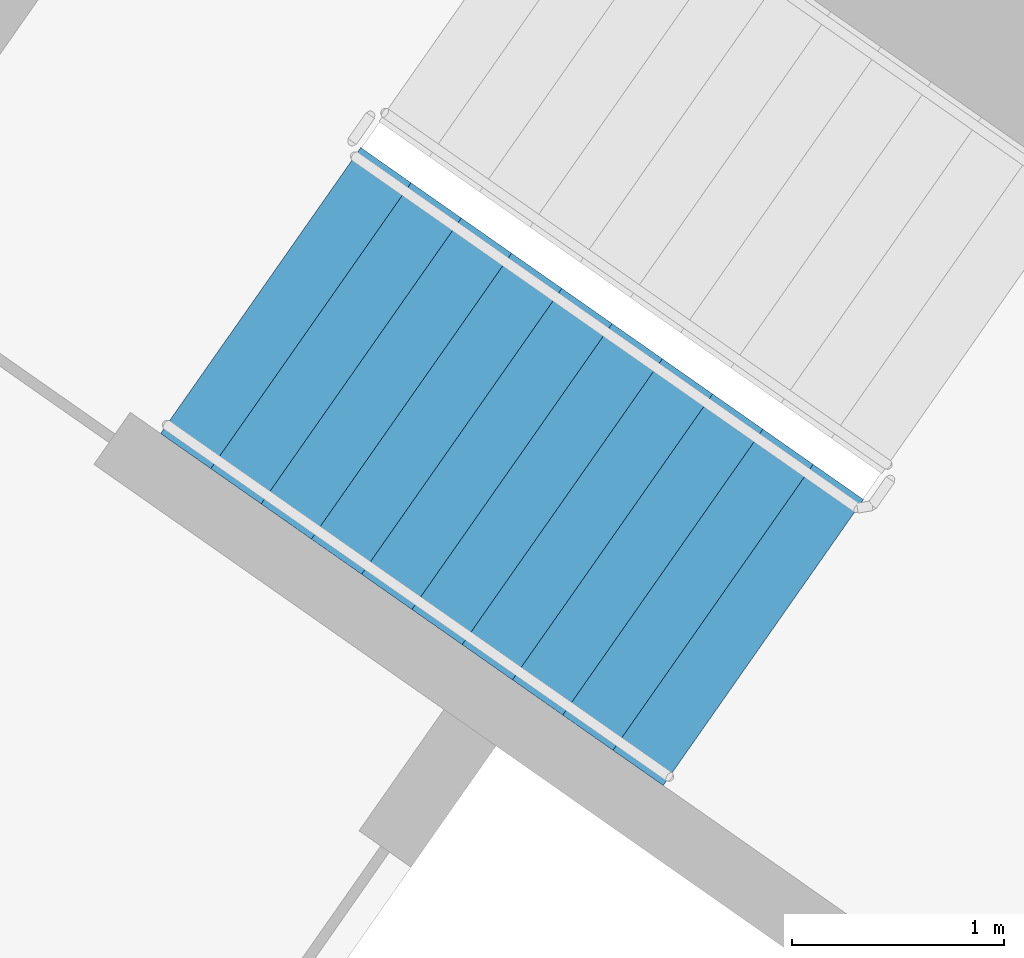
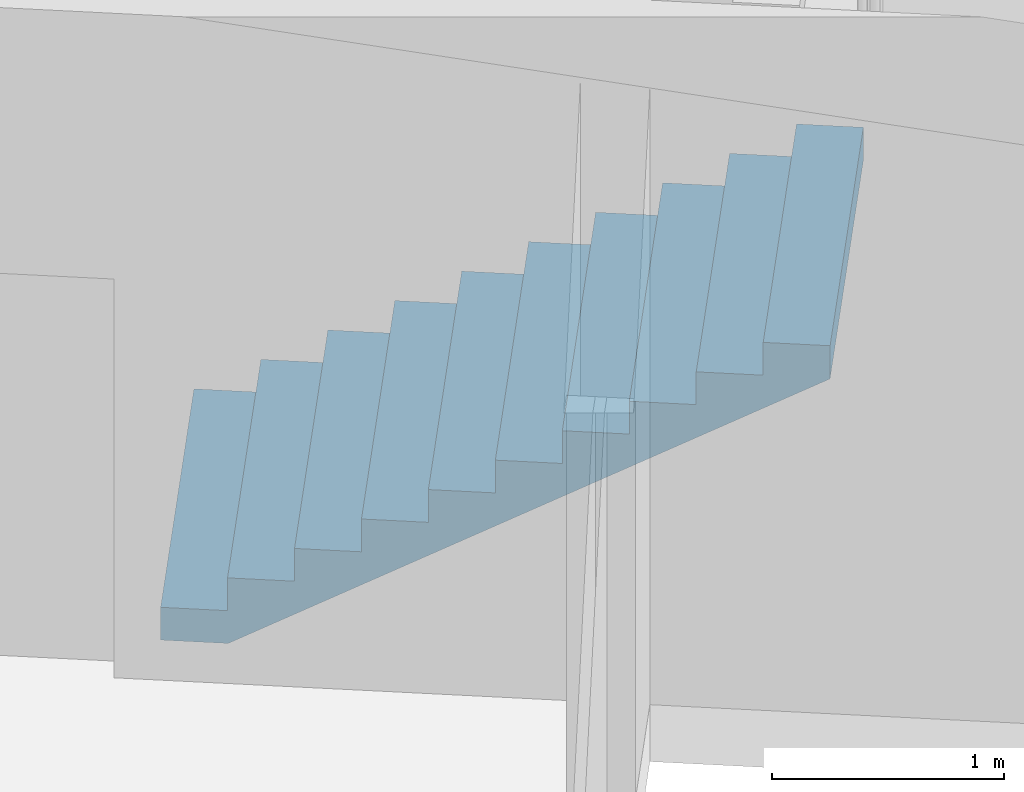
# One storey, part 12 of 27: 1 stair flight, 1 element without a shape of its own.
"""IFC4 building model written with IfcOpenShell, lengths in metres."""

from ifc_helpers import new_model, si_unit, direction, frame, origin, place, context, subcontext, project, spatial, faceted_brep, material, type_object, element, aggregate, save


model = new_model("IFC4")

# Units and contexts
model_context = context("Model", 3, precision=1e-05, world=origin(), true_north=direction((0.0, 1.0)))
body_context = subcontext(model_context, "Body", "Model", "MODEL_VIEW")
ifc_project = project(units=[si_unit("LENGTHUNIT", "METRE"), si_unit("AREAUNIT", "SQUARE_METRE"), si_unit("VOLUMEUNIT", "CUBIC_METRE"), si_unit("PLANEANGLEUNIT", "RADIAN"), si_unit("MASSUNIT", "GRAM", prefix="KILO")], contexts=[model_context])

# Site, building, storey
site_placement = place(None, origin())
site = spatial("IfcSite", under=ifc_project, at=site_placement, CompositionType="ELEMENT")
building_placement = place(site_placement, origin())
building = spatial("IfcBuilding", under=site, at=building_placement, Name="Qamariyya Broadcast Tower", CompositionType="ELEMENT")
storey_placement = place(building_placement, frame((0.0, 0.0, 175.89990234375)))
storey = spatial("IfcBuildingStorey", under=building, at=storey_placement, Name="L41", CompositionType="ELEMENT", Elevation=175.89990234375)

# Stair, stair flight
ifc_material = material(Name="Concrete C50/60", Category="concrete")
stair_type = type_object("IfcStairType", Name="Exit stair 22 risers of 173 mm", PredefinedType="HALF_TURN_STAIR", material=ifc_material)
stair_placement = place(storey_placement, origin())
stair = element("IfcStair", 1, at=stair_placement, inside=storey, type_object=stair_type, Name="L41 Stair W2", PredefinedType="HALF_TURN_STAIR")
stair_flight_type = type_object("IfcStairFlightType", Name="Exit stair flight 11 risers of 173 mm", PredefinedType="STRAIGHT", material=ifc_material)
stair_flight_placement = place(storey_placement, frame((-41.59130859375, -49.15966796875, 0.0), z_axis=(0.0, 0.0, 1.0), x_axis=(0.819152044289, -0.573576436351, 0.0)))
stair_flight = element("IfcStairFlight", 2, at=stair_flight_placement, type_object=stair_flight_type, Name="ST-W2 flight 1", NumberOfRisers=11, NumberOfTreads=10, PredefinedType="STRAIGHT", RiserHeight=0.172727273, TreadLength=0.29, context=body_context, shape_type="Brep", body=[
    faceted_brep([(0.0, 0.824951171875, 0.0), (0.0, 0.824951171875, 0.172607421875), (0.2900390625, 0.824951171875, 0.172607421875), (0.2900390625, 0.824951171875, 0.345458984375), (0.580078125, 0.824951171875, 0.345458984375), (0.580078125, 0.824951171875, 0.51806640625), (0.8701171875, 0.824951171875, 0.51806640625), (0.8701171875, 0.824951171875, 0.69091796875), (1.159912109375, 0.824951171875, 0.69091796875), (1.159912109375, 0.824951171875, 0.863525390625), (1.449951171875, 0.824951171875, 0.863525390625), (1.449951171875, 0.824951171875, 1.036376953125), (1.739990234375, 0.824951171875, 1.036376953125), (1.739990234375, 0.824951171875, 1.208984375), (2.030029296875, 0.824951171875, 1.208984375), (2.030029296875, 0.824951171875, 1.3818359375), (2.320068359375, 0.824951171875, 1.3818359375), (2.320068359375, 0.824951171875, 1.554443359375), (2.610107421875, 0.824951171875, 1.554443359375), (2.610107421875, 0.824951171875, 1.727294921875), (2.89990234375, 0.824951171875, 1.727294921875), (2.89990234375, 0.824951171875, 1.552734375), (0.29296875, 0.824951171875, 0.0), (0.29296875, -0.824951171875, 0.0), (2.89990234375, -0.824951171875, 1.552734375), (2.89990234375, -0.824951171875, 1.727294921875), (2.610107421875, -0.824951171875, 1.727294921875), (2.610107421875, -0.824951171875, 1.554443359375), (2.320068359375, -0.824951171875, 1.554443359375), (2.320068359375, -0.824951171875, 1.3818359375), (2.030029296875, -0.824951171875, 1.3818359375), (2.030029296875, -0.824951171875, 1.208984375), (1.739990234375, -0.824951171875, 1.208984375), (1.739990234375, -0.824951171875, 1.036376953125), (1.449951171875, -0.824951171875, 1.036376953125), (1.449951171875, -0.824951171875, 0.863525390625), (1.159912109375, -0.824951171875, 0.863525390625), (1.159912109375, -0.824951171875, 0.69091796875), (0.8701171875, -0.824951171875, 0.69091796875), (0.8701171875, -0.824951171875, 0.51806640625), (0.580078125, -0.824951171875, 0.51806640625), (0.580078125, -0.824951171875, 0.345458984375), (0.2900390625, -0.824951171875, 0.345458984375), (0.2900390625, -0.824951171875, 0.172607421875), (0.0, -0.824951171875, 0.172607421875), (0.0, -0.824951171875, 0.0), (0.0, 0.10009765625, 0.0), (0.0, 0.086669921875, 0.0), (0.0, 0.0732421875, 0.0), (0.0, 0.06005859375, 0.0), (0.0, 0.046630859375, 0.0), (0.0, 0.033447265625, 0.0), (0.0, 0.02001953125, 0.0), (0.0, 0.006591796875, 0.0), (0.0, -0.006591796875, 0.0), (0.0, -0.02001953125, 0.0), (0.0, -0.033447265625, 0.0), (0.0, -0.046630859375, 0.0), (0.0, -0.06005859375, 0.0), (0.0, -0.0732421875, 0.0), (0.0, -0.086669921875, 0.0), (0.0, -0.10009765625, 0.0), (0.0, -0.10009765625, 0.172607421875), (0.0, -0.086669921875, 0.172607421875), (0.0, -0.0732421875, 0.172607421875), (0.0, -0.06005859375, 0.172607421875), (0.0, -0.046630859375, 0.172607421875), (0.0, -0.033447265625, 0.172607421875), (0.0, -0.02001953125, 0.172607421875), (0.0, -0.006591796875, 0.172607421875), (0.0, 0.006591796875, 0.172607421875), (0.0, 0.02001953125, 0.172607421875), (0.0, 0.033447265625, 0.172607421875), (0.0, 0.046630859375, 0.172607421875), (0.0, 0.06005859375, 0.172607421875), (0.0, 0.0732421875, 0.172607421875), (0.0, 0.086669921875, 0.172607421875), (0.0, 0.10009765625, 0.172607421875), (0.2900390625, -0.10009765625, 0.172607421875), (0.2900390625, -0.086669921875, 0.172607421875), (0.2900390625, -0.0732421875, 0.172607421875), (0.2900390625, -0.06005859375, 0.172607421875), (0.2900390625, -0.046630859375, 0.172607421875), (0.2900390625, -0.033447265625, 0.172607421875), (0.2900390625, -0.02001953125, 0.172607421875), (0.2900390625, -0.006591796875, 0.172607421875), (0.2900390625, 0.006591796875, 0.172607421875), (0.2900390625, 0.02001953125, 0.172607421875), (0.2900390625, 0.033447265625, 0.172607421875), (0.2900390625, 0.046630859375, 0.172607421875), (0.2900390625, 0.06005859375, 0.172607421875), (0.2900390625, 0.0732421875, 0.172607421875), (0.2900390625, 0.086669921875, 0.172607421875), (0.2900390625, 0.10009765625, 0.172607421875), (0.2900390625, -0.10009765625, 0.345458984375), (0.2900390625, -0.086669921875, 0.345458984375), (0.2900390625, -0.0732421875, 0.345458984375), (0.2900390625, -0.06005859375, 0.345458984375), (0.2900390625, -0.046630859375, 0.345458984375), (0.2900390625, -0.033447265625, 0.345458984375), (0.2900390625, -0.02001953125, 0.345458984375), (0.2900390625, -0.006591796875, 0.345458984375), (0.2900390625, 0.006591796875, 0.345458984375), (0.2900390625, 0.02001953125, 0.345458984375), (0.2900390625, 0.033447265625, 0.345458984375), (0.2900390625, 0.046630859375, 0.345458984375), (0.2900390625, 0.06005859375, 0.345458984375), (0.2900390625, 0.0732421875, 0.345458984375), (0.2900390625, 0.086669921875, 0.345458984375), (0.2900390625, 0.10009765625, 0.345458984375), (0.580078125, -0.10009765625, 0.345458984375), (0.580078125, -0.086669921875, 0.345458984375), (0.580078125, -0.0732421875, 0.345458984375), (0.580078125, -0.06005859375, 0.345458984375), (0.580078125, -0.046630859375, 0.345458984375), (0.580078125, -0.033447265625, 0.345458984375), (0.580078125, -0.02001953125, 0.345458984375), (0.580078125, -0.006591796875, 0.345458984375), (0.580078125, 0.006591796875, 0.345458984375), (0.580078125, 0.02001953125, 0.345458984375), (0.580078125, 0.033447265625, 0.345458984375), (0.580078125, 0.046630859375, 0.345458984375), (0.580078125, 0.06005859375, 0.345458984375), (0.580078125, 0.0732421875, 0.345458984375), (0.580078125, 0.086669921875, 0.345458984375), (0.580078125, 0.10009765625, 0.345458984375), (0.580078125, -0.10009765625, 0.51806640625), (0.580078125, -0.086669921875, 0.51806640625), (0.580078125, -0.0732421875, 0.51806640625), (0.580078125, -0.06005859375, 0.51806640625), (0.580078125, -0.046630859375, 0.51806640625), (0.580078125, -0.033447265625, 0.51806640625), (0.580078125, -0.02001953125, 0.51806640625), (0.580078125, -0.006591796875, 0.51806640625), (0.580078125, 0.006591796875, 0.51806640625), (0.580078125, 0.02001953125, 0.51806640625), (0.580078125, 0.033447265625, 0.51806640625), (0.580078125, 0.046630859375, 0.51806640625), (0.580078125, 0.06005859375, 0.51806640625), (0.580078125, 0.0732421875, 0.51806640625), (0.580078125, 0.086669921875, 0.51806640625), (0.580078125, 0.10009765625, 0.51806640625), (0.8701171875, -0.10009765625, 0.51806640625), (0.8701171875, -0.086669921875, 0.51806640625), (0.8701171875, -0.0732421875, 0.51806640625), (0.8701171875, -0.06005859375, 0.51806640625), (0.8701171875, -0.046630859375, 0.51806640625), (0.8701171875, -0.033447265625, 0.51806640625), (0.8701171875, -0.02001953125, 0.51806640625), (0.8701171875, -0.006591796875, 0.51806640625), (0.8701171875, 0.006591796875, 0.51806640625), (0.8701171875, 0.02001953125, 0.51806640625), (0.8701171875, 0.033447265625, 0.51806640625), (0.8701171875, 0.046630859375, 0.51806640625), (0.8701171875, 0.06005859375, 0.51806640625), (0.8701171875, 0.0732421875, 0.51806640625), (0.8701171875, 0.086669921875, 0.51806640625), (0.8701171875, 0.10009765625, 0.51806640625), (0.8701171875, -0.10009765625, 0.69091796875), (0.8701171875, -0.086669921875, 0.69091796875), (0.8701171875, -0.0732421875, 0.69091796875), (0.8701171875, -0.06005859375, 0.69091796875), (0.8701171875, -0.046630859375, 0.69091796875), (0.8701171875, -0.033447265625, 0.69091796875), (0.8701171875, -0.02001953125, 0.69091796875), (0.8701171875, -0.006591796875, 0.69091796875), (0.8701171875, 0.006591796875, 0.69091796875), (0.8701171875, 0.02001953125, 0.69091796875), (0.8701171875, 0.033447265625, 0.69091796875), (0.8701171875, 0.046630859375, 0.69091796875), (0.8701171875, 0.06005859375, 0.69091796875), (0.8701171875, 0.0732421875, 0.69091796875), (0.8701171875, 0.086669921875, 0.69091796875), (0.8701171875, 0.10009765625, 0.69091796875), (1.159912109375, -0.10009765625, 0.69091796875), (1.159912109375, -0.086669921875, 0.69091796875), (1.159912109375, -0.0732421875, 0.69091796875), (1.159912109375, -0.06005859375, 0.69091796875), (1.159912109375, -0.046630859375, 0.69091796875), (1.159912109375, -0.033447265625, 0.69091796875), (1.159912109375, -0.02001953125, 0.69091796875), (1.159912109375, -0.006591796875, 0.69091796875), (1.159912109375, 0.006591796875, 0.69091796875), (1.159912109375, 0.02001953125, 0.69091796875), (1.159912109375, 0.033447265625, 0.69091796875), (1.159912109375, 0.046630859375, 0.69091796875), (1.159912109375, 0.06005859375, 0.69091796875), (1.159912109375, 0.0732421875, 0.69091796875), (1.159912109375, 0.086669921875, 0.69091796875), (1.159912109375, 0.10009765625, 0.69091796875), (1.159912109375, -0.10009765625, 0.863525390625), (1.159912109375, -0.086669921875, 0.863525390625), (1.159912109375, -0.0732421875, 0.863525390625), (1.159912109375, -0.06005859375, 0.863525390625), (1.159912109375, -0.046630859375, 0.863525390625), (1.159912109375, -0.033447265625, 0.863525390625), (1.159912109375, -0.02001953125, 0.863525390625), (1.159912109375, -0.006591796875, 0.863525390625), (1.159912109375, 0.006591796875, 0.863525390625), (1.159912109375, 0.02001953125, 0.863525390625), (1.159912109375, 0.033447265625, 0.863525390625), (1.159912109375, 0.046630859375, 0.863525390625), (1.159912109375, 0.06005859375, 0.863525390625), (1.159912109375, 0.0732421875, 0.863525390625), (1.159912109375, 0.086669921875, 0.863525390625), (1.159912109375, 0.10009765625, 0.863525390625), (1.449951171875, -0.10009765625, 0.863525390625), (1.449951171875, -0.086669921875, 0.863525390625), (1.449951171875, -0.0732421875, 0.863525390625), (1.449951171875, -0.06005859375, 0.863525390625), (1.449951171875, -0.046630859375, 0.863525390625), (1.449951171875, -0.033447265625, 0.863525390625), (1.449951171875, -0.02001953125, 0.863525390625), (1.449951171875, -0.006591796875, 0.863525390625), (1.449951171875, 0.006591796875, 0.863525390625), (1.449951171875, 0.02001953125, 0.863525390625), (1.449951171875, 0.033447265625, 0.863525390625), (1.449951171875, 0.046630859375, 0.863525390625), (1.449951171875, 0.06005859375, 0.863525390625), (1.449951171875, 0.0732421875, 0.863525390625), (1.449951171875, 0.086669921875, 0.863525390625), (1.449951171875, 0.10009765625, 0.863525390625), (1.449951171875, -0.10009765625, 1.036376953125), (1.449951171875, -0.086669921875, 1.036376953125), (1.449951171875, -0.0732421875, 1.036376953125), (1.449951171875, -0.06005859375, 1.036376953125), (1.449951171875, -0.046630859375, 1.036376953125), (1.449951171875, -0.033447265625, 1.036376953125), (1.449951171875, -0.02001953125, 1.036376953125), (1.449951171875, -0.006591796875, 1.036376953125), (1.449951171875, 0.006591796875, 1.036376953125), (1.449951171875, 0.02001953125, 1.036376953125), (1.449951171875, 0.033447265625, 1.036376953125), (1.449951171875, 0.046630859375, 1.036376953125), (1.449951171875, 0.06005859375, 1.036376953125), (1.449951171875, 0.0732421875, 1.036376953125), (1.449951171875, 0.086669921875, 1.036376953125), (1.449951171875, 0.10009765625, 1.036376953125), (1.739990234375, -0.10009765625, 1.036376953125), (1.739990234375, -0.086669921875, 1.036376953125), (1.739990234375, -0.0732421875, 1.036376953125), (1.739990234375, -0.06005859375, 1.036376953125), (1.739990234375, -0.046630859375, 1.036376953125), (1.739990234375, -0.033447265625, 1.036376953125), (1.739990234375, -0.02001953125, 1.036376953125), (1.739990234375, -0.006591796875, 1.036376953125), (1.739990234375, 0.006591796875, 1.036376953125), (1.739990234375, 0.02001953125, 1.036376953125), (1.739990234375, 0.033447265625, 1.036376953125), (1.739990234375, 0.046630859375, 1.036376953125), (1.739990234375, 0.06005859375, 1.036376953125), (1.739990234375, 0.0732421875, 1.036376953125), (1.739990234375, 0.086669921875, 1.036376953125), (1.739990234375, 0.10009765625, 1.036376953125), (1.739990234375, -0.10009765625, 1.208984375), (1.739990234375, -0.086669921875, 1.208984375), (1.739990234375, -0.0732421875, 1.208984375), (1.739990234375, -0.06005859375, 1.208984375), (1.739990234375, -0.046630859375, 1.208984375), (1.739990234375, -0.033447265625, 1.208984375), (1.739990234375, -0.02001953125, 1.208984375), (1.739990234375, -0.006591796875, 1.208984375), (1.739990234375, 0.006591796875, 1.208984375), (1.739990234375, 0.02001953125, 1.208984375), (1.739990234375, 0.033447265625, 1.208984375), (1.739990234375, 0.046630859375, 1.208984375), (1.739990234375, 0.06005859375, 1.208984375), (1.739990234375, 0.0732421875, 1.208984375), (1.739990234375, 0.086669921875, 1.208984375), (1.739990234375, 0.10009765625, 1.208984375), (2.030029296875, -0.10009765625, 1.208984375), (2.030029296875, -0.086669921875, 1.208984375), (2.030029296875, -0.0732421875, 1.208984375), (2.030029296875, -0.06005859375, 1.208984375), (2.030029296875, -0.046630859375, 1.208984375), (2.030029296875, -0.033447265625, 1.208984375), (2.030029296875, -0.02001953125, 1.208984375), (2.030029296875, -0.006591796875, 1.208984375), (2.030029296875, 0.006591796875, 1.208984375), (2.030029296875, 0.02001953125, 1.208984375), (2.030029296875, 0.033447265625, 1.208984375), (2.030029296875, 0.046630859375, 1.208984375), (2.030029296875, 0.06005859375, 1.208984375), (2.030029296875, 0.0732421875, 1.208984375), (2.030029296875, 0.086669921875, 1.208984375), (2.030029296875, 0.10009765625, 1.208984375), (2.030029296875, -0.10009765625, 1.3818359375), (2.030029296875, -0.086669921875, 1.3818359375), (2.030029296875, -0.0732421875, 1.3818359375), (2.030029296875, -0.06005859375, 1.3818359375), (2.030029296875, -0.046630859375, 1.3818359375), (2.030029296875, -0.033447265625, 1.3818359375), (2.030029296875, -0.02001953125, 1.3818359375), (2.030029296875, -0.006591796875, 1.3818359375), (2.030029296875, 0.006591796875, 1.3818359375), (2.030029296875, 0.02001953125, 1.3818359375), (2.030029296875, 0.033447265625, 1.3818359375), (2.030029296875, 0.046630859375, 1.3818359375), (2.030029296875, 0.06005859375, 1.3818359375), (2.030029296875, 0.0732421875, 1.3818359375), (2.030029296875, 0.086669921875, 1.3818359375), (2.030029296875, 0.10009765625, 1.3818359375), (2.320068359375, -0.10009765625, 1.3818359375), (2.320068359375, -0.086669921875, 1.3818359375), (2.320068359375, -0.0732421875, 1.3818359375), (2.320068359375, -0.06005859375, 1.3818359375), (2.320068359375, -0.046630859375, 1.3818359375), (2.320068359375, -0.033447265625, 1.3818359375), (2.320068359375, -0.02001953125, 1.3818359375), (2.320068359375, -0.006591796875, 1.3818359375), (2.320068359375, 0.006591796875, 1.3818359375), (2.320068359375, 0.02001953125, 1.3818359375), (2.320068359375, 0.033447265625, 1.3818359375), (2.320068359375, 0.046630859375, 1.3818359375), (2.320068359375, 0.06005859375, 1.3818359375), (2.320068359375, 0.0732421875, 1.3818359375), (2.320068359375, 0.086669921875, 1.3818359375), (2.320068359375, 0.10009765625, 1.3818359375), (2.320068359375, -0.10009765625, 1.554443359375), (2.320068359375, -0.086669921875, 1.554443359375), (2.320068359375, -0.0732421875, 1.554443359375), (2.320068359375, -0.06005859375, 1.554443359375), (2.320068359375, -0.046630859375, 1.554443359375), (2.320068359375, -0.033447265625, 1.554443359375), (2.320068359375, -0.02001953125, 1.554443359375), (2.320068359375, -0.006591796875, 1.554443359375), (2.320068359375, 0.006591796875, 1.554443359375), (2.320068359375, 0.02001953125, 1.554443359375), (2.320068359375, 0.033447265625, 1.554443359375), (2.320068359375, 0.046630859375, 1.554443359375), (2.320068359375, 0.06005859375, 1.554443359375), (2.320068359375, 0.0732421875, 1.554443359375), (2.320068359375, 0.086669921875, 1.554443359375), (2.320068359375, 0.10009765625, 1.554443359375), (2.610107421875, -0.10009765625, 1.554443359375), (2.610107421875, -0.086669921875, 1.554443359375), (2.610107421875, -0.0732421875, 1.554443359375), (2.610107421875, -0.06005859375, 1.554443359375), (2.610107421875, -0.046630859375, 1.554443359375), (2.610107421875, -0.033447265625, 1.554443359375), (2.610107421875, -0.02001953125, 1.554443359375), (2.610107421875, -0.006591796875, 1.554443359375), (2.610107421875, 0.006591796875, 1.554443359375), (2.610107421875, 0.02001953125, 1.554443359375), (2.610107421875, 0.033447265625, 1.554443359375), (2.610107421875, 0.046630859375, 1.554443359375), (2.610107421875, 0.06005859375, 1.554443359375), (2.610107421875, 0.0732421875, 1.554443359375), (2.610107421875, 0.086669921875, 1.554443359375), (2.610107421875, 0.10009765625, 1.554443359375), (2.610107421875, -0.10009765625, 1.727294921875), (2.610107421875, -0.086669921875, 1.727294921875), (2.610107421875, -0.0732421875, 1.727294921875), (2.610107421875, -0.06005859375, 1.727294921875), (2.610107421875, -0.046630859375, 1.727294921875), (2.610107421875, -0.033447265625, 1.727294921875), (2.610107421875, -0.02001953125, 1.727294921875), (2.610107421875, -0.006591796875, 1.727294921875), (2.610107421875, 0.006591796875, 1.727294921875), (2.610107421875, 0.02001953125, 1.727294921875), (2.610107421875, 0.033447265625, 1.727294921875), (2.610107421875, 0.046630859375, 1.727294921875), (2.610107421875, 0.06005859375, 1.727294921875), (2.610107421875, 0.0732421875, 1.727294921875), (2.610107421875, 0.086669921875, 1.727294921875), (2.610107421875, 0.10009765625, 1.727294921875), (2.89990234375, -0.10009765625, 1.727294921875), (2.89990234375, -0.086669921875, 1.727294921875), (2.89990234375, -0.0732421875, 1.727294921875), (2.89990234375, -0.06005859375, 1.727294921875), (2.89990234375, -0.046630859375, 1.727294921875), (2.89990234375, -0.033447265625, 1.727294921875), (2.89990234375, -0.02001953125, 1.727294921875), (2.89990234375, -0.006591796875, 1.727294921875), (2.89990234375, 0.006591796875, 1.727294921875), (2.89990234375, 0.02001953125, 1.727294921875), (2.89990234375, 0.033447265625, 1.727294921875), (2.89990234375, 0.046630859375, 1.727294921875), (2.89990234375, 0.06005859375, 1.727294921875), (2.89990234375, 0.0732421875, 1.727294921875), (2.89990234375, 0.086669921875, 1.727294921875), (2.89990234375, 0.10009765625, 1.727294921875), (2.89990234375, -0.10009765625, 1.552734375), (2.89990234375, -0.086669921875, 1.552734375), (2.89990234375, -0.0732421875, 1.552734375), (2.89990234375, -0.06005859375, 1.552734375), (2.89990234375, -0.046630859375, 1.552734375), (2.89990234375, -0.033447265625, 1.552734375), (2.89990234375, -0.02001953125, 1.552734375), (2.89990234375, -0.006591796875, 1.552734375), (2.89990234375, 0.006591796875, 1.552734375), (2.89990234375, 0.02001953125, 1.552734375), (2.89990234375, 0.033447265625, 1.552734375), (2.89990234375, 0.046630859375, 1.552734375), (2.89990234375, 0.06005859375, 1.552734375), (2.89990234375, 0.0732421875, 1.552734375), (2.89990234375, 0.086669921875, 1.552734375), (2.89990234375, 0.10009765625, 1.552734375), (0.29296875, -0.10009765625, 0.0), (0.29296875, -0.086669921875, 0.0), (0.29296875, -0.0732421875, 0.0), (0.29296875, -0.06005859375, 0.0), (0.29296875, -0.046630859375, 0.0), (0.29296875, -0.033447265625, 0.0), (0.29296875, -0.02001953125, 0.0), (0.29296875, -0.006591796875, 0.0), (0.29296875, 0.006591796875, 0.0), (0.29296875, 0.02001953125, 0.0), (0.29296875, 0.033447265625, 0.0), (0.29296875, 0.046630859375, 0.0), (0.29296875, 0.06005859375, 0.0), (0.29296875, 0.0732421875, 0.0), (0.29296875, 0.086669921875, 0.0), (0.29296875, 0.10009765625, 0.0)], [[[0, 1, 2, 3, 4, 5, 6, 7, 8, 9, 10, 11, 12, 13, 14, 15, 16, 17, 18, 19, 20, 21, 22]], [[23, 24, 25, 26, 27, 28, 29, 30, 31, 32, 33, 34, 35, 36, 37, 38, 39, 40, 41, 42, 43, 44, 45]], [[0, 46, 47, 48, 49, 50, 51, 52, 53, 54, 55, 56, 57, 58, 59, 60, 61, 45, 44, 62, 63, 64, 65, 66, 67, 68, 69, 70, 71, 72, 73, 74, 75, 76, 77, 1]], [[1, 77, 76, 75, 74, 73, 72, 71, 70, 69, 68, 67, 66, 65, 64, 63, 62, 44, 43, 78, 79, 80, 81, 82, 83, 84, 85, 86, 87, 88, 89, 90, 91, 92, 93, 2]], [[2, 93, 92, 91, 90, 89, 88, 87, 86, 85, 84, 83, 82, 81, 80, 79, 78, 43, 42, 94, 95, 96, 97, 98, 99, 100, 101, 102, 103, 104, 105, 106, 107, 108, 109, 3]], [[3, 109, 108, 107, 106, 105, 104, 103, 102, 101, 100, 99, 98, 97, 96, 95, 94, 42, 41, 110, 111, 112, 113, 114, 115, 116, 117, 118, 119, 120, 121, 122, 123, 124, 125, 4]], [[4, 125, 124, 123, 122, 121, 120, 119, 118, 117, 116, 115, 114, 113, 112, 111, 110, 41, 40, 126, 127, 128, 129, 130, 131, 132, 133, 134, 135, 136, 137, 138, 139, 140, 141, 5]], [[5, 141, 140, 139, 138, 137, 136, 135, 134, 133, 132, 131, 130, 129, 128, 127, 126, 40, 39, 142, 143, 144, 145, 146, 147, 148, 149, 150, 151, 152, 153, 154, 155, 156, 157, 6]], [[6, 157, 156, 155, 154, 153, 152, 151, 150, 149, 148, 147, 146, 145, 144, 143, 142, 39, 38, 158, 159, 160, 161, 162, 163, 164, 165, 166, 167, 168, 169, 170, 171, 172, 173, 7]], [[7, 173, 172, 171, 170, 169, 168, 167, 166, 165, 164, 163, 162, 161, 160, 159, 158, 38, 37, 174, 175, 176, 177, 178, 179, 180, 181, 182, 183, 184, 185, 186, 187, 188, 189, 8]], [[8, 189, 188, 187, 186, 185, 184, 183, 182, 181, 180, 179, 178, 177, 176, 175, 174, 37, 36, 190, 191, 192, 193, 194, 195, 196, 197, 198, 199, 200, 201, 202, 203, 204, 205, 9]], [[9, 205, 204, 203, 202, 201, 200, 199, 198, 197, 196, 195, 194, 193, 192, 191, 190, 36, 35, 206, 207, 208, 209, 210, 211, 212, 213, 214, 215, 216, 217, 218, 219, 220, 221, 10]], [[10, 221, 220, 219, 218, 217, 216, 215, 214, 213, 212, 211, 210, 209, 208, 207, 206, 35, 34, 222, 223, 224, 225, 226, 227, 228, 229, 230, 231, 232, 233, 234, 235, 236, 237, 11]], [[11, 237, 236, 235, 234, 233, 232, 231, 230, 229, 228, 227, 226, 225, 224, 223, 222, 34, 33, 238, 239, 240, 241, 242, 243, 244, 245, 246, 247, 248, 249, 250, 251, 252, 253, 12]], [[12, 253, 252, 251, 250, 249, 248, 247, 246, 245, 244, 243, 242, 241, 240, 239, 238, 33, 32, 254, 255, 256, 257, 258, 259, 260, 261, 262, 263, 264, 265, 266, 267, 268, 269, 13]], [[13, 269, 268, 267, 266, 265, 264, 263, 262, 261, 260, 259, 258, 257, 256, 255, 254, 32, 31, 270, 271, 272, 273, 274, 275, 276, 277, 278, 279, 280, 281, 282, 283, 284, 285, 14]], [[14, 285, 284, 283, 282, 281, 280, 279, 278, 277, 276, 275, 274, 273, 272, 271, 270, 31, 30, 286, 287, 288, 289, 290, 291, 292, 293, 294, 295, 296, 297, 298, 299, 300, 301, 15]], [[15, 301, 300, 299, 298, 297, 296, 295, 294, 293, 292, 291, 290, 289, 288, 287, 286, 30, 29, 302, 303, 304, 305, 306, 307, 308, 309, 310, 311, 312, 313, 314, 315, 316, 317, 16]], [[16, 317, 316, 315, 314, 313, 312, 311, 310, 309, 308, 307, 306, 305, 304, 303, 302, 29, 28, 318, 319, 320, 321, 322, 323, 324, 325, 326, 327, 328, 329, 330, 331, 332, 333, 17]], [[17, 333, 332, 331, 330, 329, 328, 327, 326, 325, 324, 323, 322, 321, 320, 319, 318, 28, 27, 334, 335, 336, 337, 338, 339, 340, 341, 342, 343, 344, 345, 346, 347, 348, 349, 18]], [[18, 349, 348, 347, 346, 345, 344, 343, 342, 341, 340, 339, 338, 337, 336, 335, 334, 27, 26, 350, 351, 352, 353, 354, 355, 356, 357, 358, 359, 360, 361, 362, 363, 364, 365, 19]], [[19, 365, 364, 363, 362, 361, 360, 359, 358, 357, 356, 355, 354, 353, 352, 351, 350, 26, 25, 366, 367, 368, 369, 370, 371, 372, 373, 374, 375, 376, 377, 378, 379, 380, 381, 20]], [[20, 381, 380, 379, 378, 377, 376, 375, 374, 373, 372, 371, 370, 369, 368, 367, 366, 25, 24, 382, 383, 384, 385, 386, 387, 388, 389, 390, 391, 392, 393, 394, 395, 396, 397, 21]], [[21, 397, 396, 395, 394, 393, 392, 391, 390, 389, 388, 387, 386, 385, 384, 383, 382, 24, 23, 398, 399, 400, 401, 402, 403, 404, 405, 406, 407, 408, 409, 410, 411, 412, 413, 22]], [[22, 413, 412, 411, 410, 409, 408, 407, 406, 405, 404, 403, 402, 401, 400, 399, 398, 23, 45, 61, 60, 59, 58, 57, 56, 55, 54, 53, 52, 51, 50, 49, 48, 47, 46, 0]]]),
])
aggregate(stair, [stair_flight])

save(model, "model.ifc")
